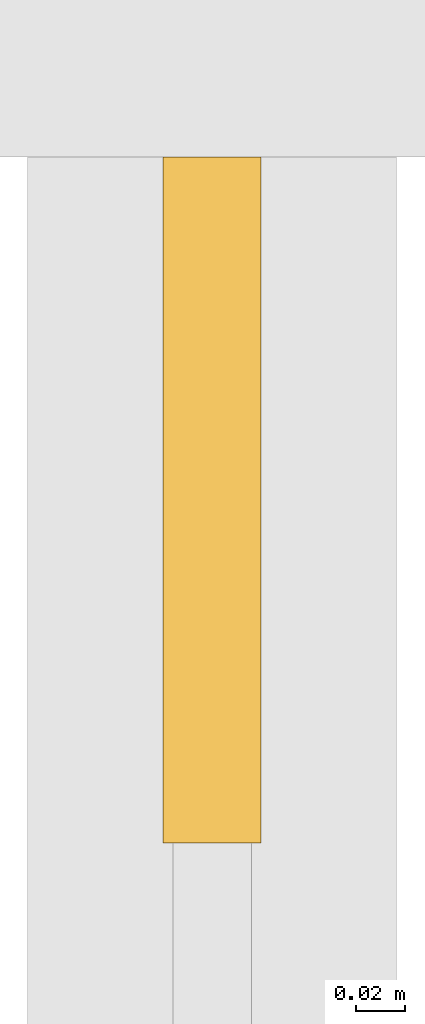
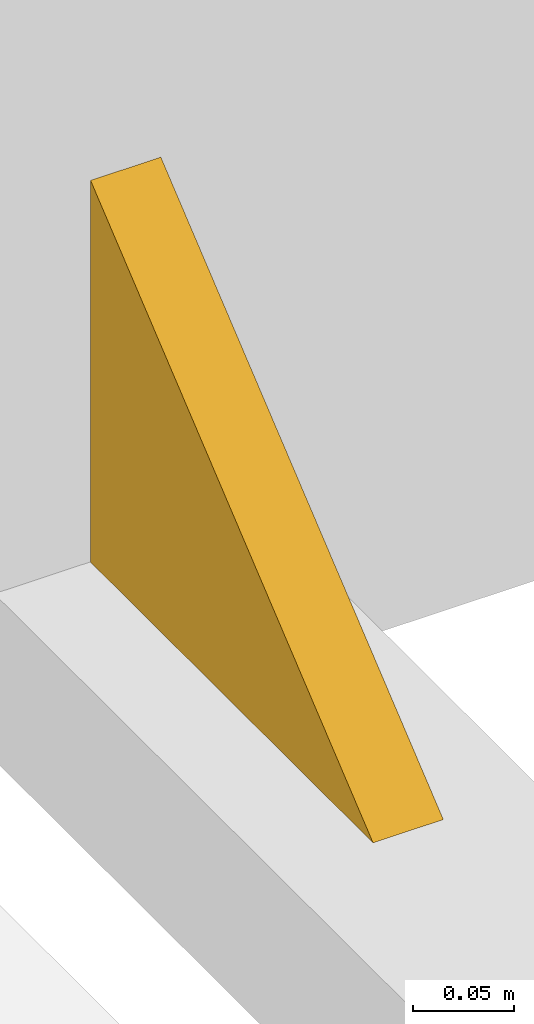
# One storey, part 18 of 18: 1 covering.
"""IFC4 building model written with IfcOpenShell, lengths in metres."""

from ifc_helpers import new_model, si_unit, direction, frame, origin, place, context, subcontext, project, spatial, polyline, outline, extrude, material, layer, layer_set, type_object, element, save


model = new_model("IFC4")

# Units and contexts
model_context = context("Model", 3, precision=1e-05, world=origin(), true_north=direction((0.0, 1.0)))
body_context = subcontext(model_context, "Body", "Model", "MODEL_VIEW")
ifc_project = project(units=[si_unit("LENGTHUNIT", "METRE"), si_unit("AREAUNIT", "SQUARE_METRE"), si_unit("VOLUMEUNIT", "CUBIC_METRE"), si_unit("PLANEANGLEUNIT", "RADIAN"), si_unit("MASSUNIT", "GRAM", prefix="KILO")], contexts=[model_context])

# Site, building, storey
site_placement = place(None, origin())
site = spatial("IfcSite", under=ifc_project, at=site_placement, CompositionType="ELEMENT")
building_placement = place(site_placement, origin())
building = spatial("IfcBuilding", under=site, at=building_placement, Name="Malebo Sky Hospital", CompositionType="ELEMENT")
storey_placement = place(building_placement, frame((0.0, 0.0, 132.0)))
storey = spatial("IfcBuildingStorey", under=building, at=storey_placement, Name="L31", CompositionType="ELEMENT", Elevation=132.0)

# Covering
ifc_material = material(Name="Anodised aluminium, natural silver insulated infill panel", Category="aluminium")
ifc_layer = layer(ifc_material, 0.0400390625)
ifc_layer_set = layer_set([ifc_layer], Name="BRACE INFILL PANEL 40")
covering_type = type_object("IfcCoveringType", Name="BRACE INFILL PANEL 40", PredefinedType="CLADDING", material=ifc_layer_set)
covering_placement = place(storey_placement, frame((84.135009765625, 78.623046875, 0.099853515625), z_axis=(0.0, 0.0, 1.0), x_axis=(0.0, -1.0, 0.0)))
element("IfcCovering", 1, at=covering_placement, inside=storey, type_object=covering_type, Name="Brace infill panel 2.1", PredefinedType="CLADDING", context=body_context, shape_type="SweptSolid", body=[
    extrude(outline(polyline([(-0.139404296875, 0.0), (0.139404296875, 0.0), (-0.139404296875, 0.22998046875), (-0.139404296875, 0.0)])), frame((0.0, 0.02001953125, 0.0), z_axis=(0.0, -1.0, 0.0), x_axis=(1.0, 0.0, 0.0)), (0.0, 0.0, 1.0), 0.0400390625),
])

save(model, "model.ifc")
